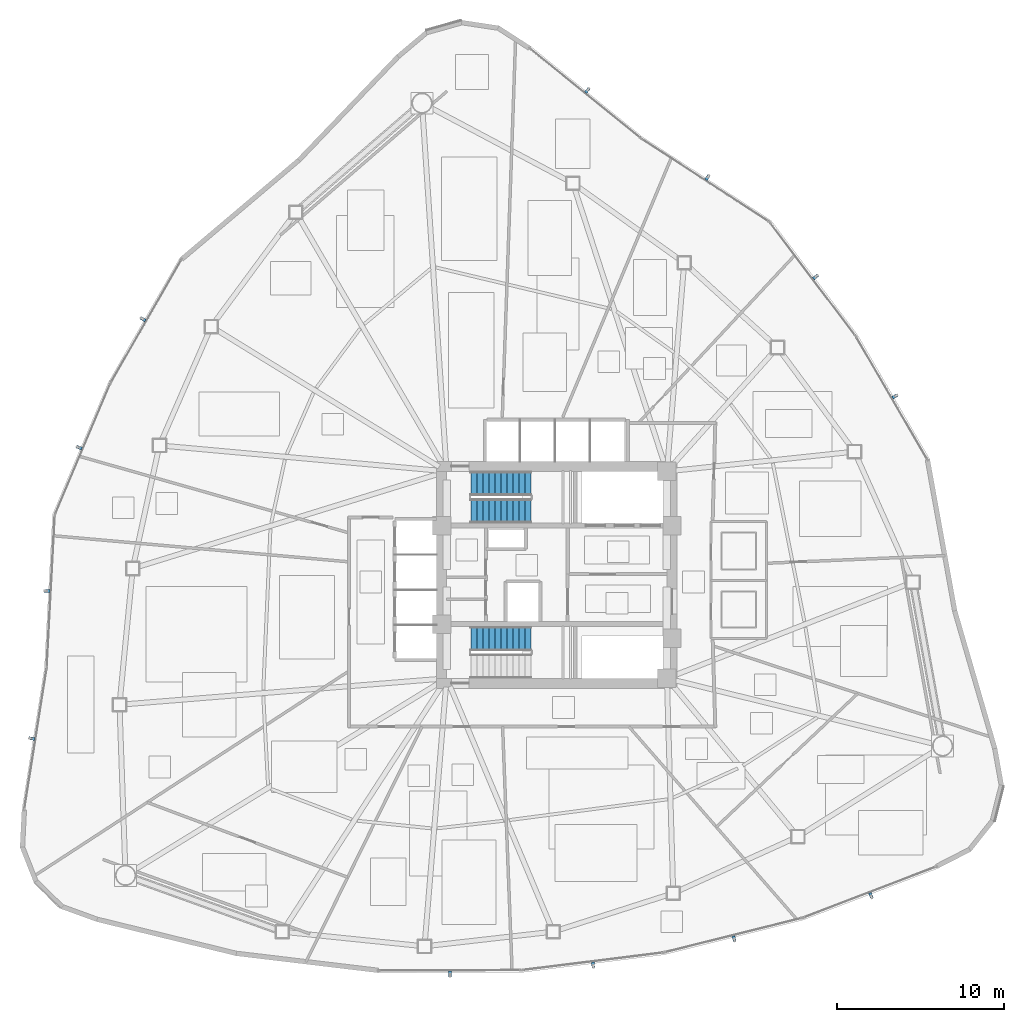
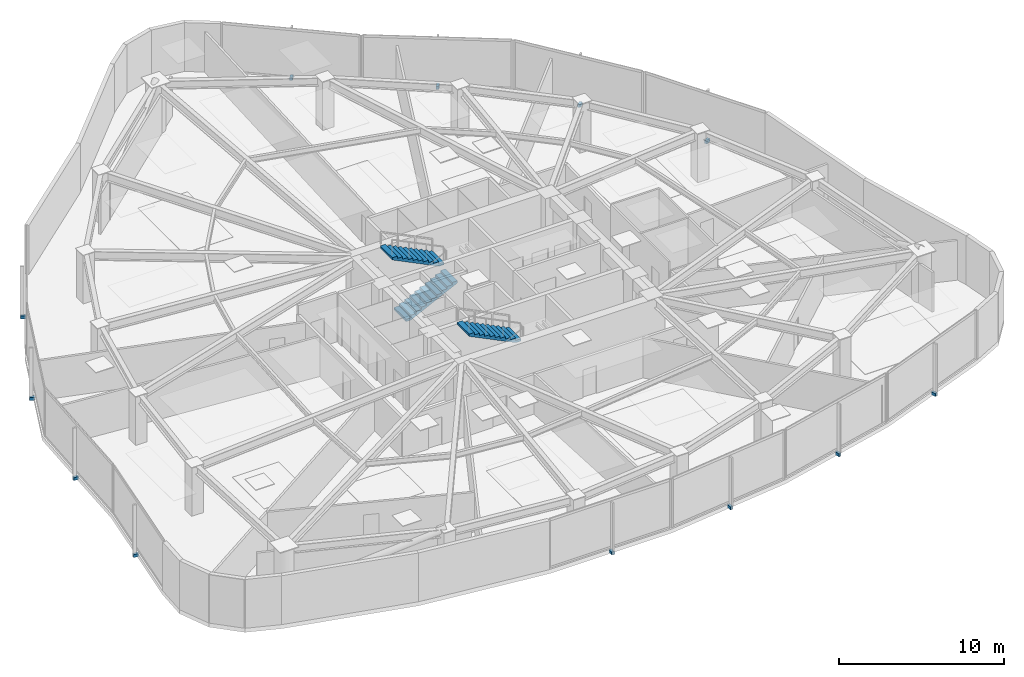
# One storey, part 13 of 17: 12 discrete accessories, 3 stair flights, 2 elements without a shape of their own.
"""IFC4 building model written with IfcOpenShell, lengths in metres."""

from ifc_helpers import new_model, si_unit, direction, frame, origin, origin_2d, place, context, subcontext, project, spatial, polyline, rectangle, outline, extrude, source, transform, mapped, material, type_object, type_shapes, element, aggregate, save


model = new_model("IFC4")

# Units and contexts
model_context = context("Model", 3, precision=1e-05, world=origin(), true_north=direction((0.0, 1.0)))
body_context = subcontext(model_context, "Body", "Model", "MODEL_VIEW")
ifc_project = project(units=[si_unit("LENGTHUNIT", "METRE"), si_unit("AREAUNIT", "SQUARE_METRE"), si_unit("VOLUMEUNIT", "CUBIC_METRE"), si_unit("PLANEANGLEUNIT", "RADIAN"), si_unit("MASSUNIT", "GRAM", prefix="KILO")], contexts=[model_context])

# Site, building, storey
site_placement = place(None, origin())
site = spatial("IfcSite", under=ifc_project, at=site_placement, CompositionType="ELEMENT")
building_placement = place(site_placement, origin())
building = spatial("IfcBuilding", under=site, at=building_placement, Name="Tavelor Broadcast Tower", CompositionType="ELEMENT")
storey_placement = place(building_placement, frame((0.0, 0.0, 39.300048828125)))
storey = spatial("IfcBuildingStorey", under=building, at=storey_placement, Name="L08", CompositionType="ELEMENT", Elevation=39.300048828125)

# Stair, stair flights
ifc_material_1 = material(Name="Concrete C40/50", Category="concrete")
stair_type = type_object("IfcStairType", Name="Reinforced Concrete Protected Dogleg Stair 1450 mm", PredefinedType="HALF_TURN_STAIR", material=ifc_material_1)
stair_1_placement = place(storey_placement, origin())
stair_1 = element("IfcStair", 1, at=stair_1_placement, inside=storey, type_object=stair_type, Name="L08 Protected Core Exit Stair ST1", PredefinedType="HALF_TURN_STAIR")
stair_flight_type = type_object("IfcStairFlightType", Name="Reinforced Concrete Stair Flight 1450 mm", PredefinedType="STRAIGHT", material=ifc_material_1)
stair_flight_1_placement = place(storey_placement, frame((44.85009765625, 48.824951171875, 0.0), z_axis=(0.0, 0.0, 1.0), x_axis=(1.0, 0.0, 0.0)))
stair_flight_1 = element("IfcStairFlight", 2, at=stair_flight_1_placement, type_object=stair_flight_type, Name="ST1 flight 1", NumberOfRisers=11, NumberOfTreads=10, PredefinedType="STRAIGHT", RiserHeight=0.177272727, TreadLength=0.36, context=body_context, shape_type="SweptSolid", body=[
    extrude(outline(polyline([(0.0, 0.0), (0.0, 0.17724609375), (0.360107421875, 0.17724609375), (0.360107421875, 0.3544921875), (0.719970703125, 0.3544921875), (0.719970703125, 0.53173828125), (1.080078125, 0.53173828125), (1.080078125, 0.708984375), (1.43994140625, 0.708984375), (1.43994140625, 0.886474609375), (1.800048828125, 0.886474609375), (1.800048828125, 1.063720703125), (2.159912109375, 1.063720703125), (2.159912109375, 1.240966796875), (2.52001953125, 1.240966796875), (2.52001953125, 1.418212890625), (2.8798828125, 1.418212890625), (2.8798828125, 1.595458984375), (3.239990234375, 1.595458984375), (3.239990234375, 1.772705078125), (3.60009765625, 1.772705078125), (3.60009765625, 1.949951171875), (3.60009765625, 1.605712890625), (0.33935546875, 0.0), (0.0, 0.0)])), frame((0.0, 0.72509765625, 0.0), z_axis=(0.0, -1.0, 0.0), x_axis=(1.0, 0.0, 0.0)), (0.0, 0.0, 1.0), 1.449951171875),
])
stair_flight_2_placement = place(storey_placement, frame((48.449951171875, 50.47509765625, 1.949951171875), z_axis=(0.0, 0.0, 1.0), x_axis=(-1.0, 0.0, 0.0)))
stair_flight_2 = element("IfcStairFlight", 3, at=stair_flight_2_placement, type_object=stair_flight_type, Name="ST1 flight 2", NumberOfRisers=11, NumberOfTreads=10, PredefinedType="STRAIGHT", RiserHeight=0.177272727, TreadLength=0.36, context=body_context, shape_type="SweptSolid", body=[
    extrude(outline(polyline([(0.0, 0.0), (0.0, 0.17724609375), (0.360107421875, 0.17724609375), (0.360107421875, 0.3544921875), (0.719970703125, 0.3544921875), (0.719970703125, 0.53173828125), (1.080078125, 0.53173828125), (1.080078125, 0.708984375), (1.43994140625, 0.708984375), (1.43994140625, 0.886474609375), (1.800048828125, 0.886474609375), (1.800048828125, 1.063720703125), (2.159912109375, 1.063720703125), (2.159912109375, 1.240966796875), (2.52001953125, 1.240966796875), (2.52001953125, 1.418212890625), (2.8798828125, 1.418212890625), (2.8798828125, 1.595458984375), (3.239990234375, 1.595458984375), (3.239990234375, 1.772705078125), (3.60009765625, 1.772705078125), (3.60009765625, 1.949951171875), (3.60009765625, 1.605712890625), (0.33935546875, 0.0), (0.0, 0.0)])), frame((0.0, 0.72509765625, 0.0), z_axis=(0.0, -1.0, 0.0), x_axis=(1.0, 0.0, 0.0)), (0.0, 0.0, 1.0), 1.449951171875),
])
aggregate(stair_1, [stair_flight_1, stair_flight_2])

# Stair, stair flight
stair_2_placement = place(storey_placement, origin())
stair_2 = element("IfcStair", 4, at=stair_2_placement, inside=storey, type_object=stair_type, Name="L08 Protected Core Exit Stair ST2", PredefinedType="HALF_TURN_STAIR")
stair_flight_3_placement = place(storey_placement, frame((48.449951171875, 41.175048828125, 1.949951171875), z_axis=(0.0, 0.0, 1.0), x_axis=(-1.0, 0.0, 0.0)))
stair_flight_3 = element("IfcStairFlight", 5, at=stair_flight_3_placement, type_object=stair_flight_type, Name="ST2 flight 2", NumberOfRisers=11, NumberOfTreads=10, PredefinedType="STRAIGHT", RiserHeight=0.177272727, TreadLength=0.36, context=body_context, shape_type="SweptSolid", body=[
    extrude(outline(polyline([(0.0, 0.0), (0.0, 0.17724609375), (0.360107421875, 0.17724609375), (0.360107421875, 0.3544921875), (0.719970703125, 0.3544921875), (0.719970703125, 0.53173828125), (1.080078125, 0.53173828125), (1.080078125, 0.708984375), (1.43994140625, 0.708984375), (1.43994140625, 0.886474609375), (1.800048828125, 0.886474609375), (1.800048828125, 1.063720703125), (2.159912109375, 1.063720703125), (2.159912109375, 1.240966796875), (2.52001953125, 1.240966796875), (2.52001953125, 1.418212890625), (2.8798828125, 1.418212890625), (2.8798828125, 1.595458984375), (3.239990234375, 1.595458984375), (3.239990234375, 1.772705078125), (3.60009765625, 1.772705078125), (3.60009765625, 1.949951171875), (3.60009765625, 1.605712890625), (0.33935546875, 0.0), (0.0, 0.0)])), frame((0.0, 0.72509765625, 0.0), z_axis=(0.0, -1.0, 0.0), x_axis=(1.0, 0.0, 0.0)), (0.0, 0.0, 1.0), 1.449951171875),
])
aggregate(stair_2, [stair_flight_3])

# Discrete accessories
ifc_material_2 = material(Name="Steel S355", Category="steel")
discrete_accessory_type = type_object("IfcDiscreteAccessoryType", Name="Stainless Baguette Outrigger Support Bracket 260x180", PredefinedType="BRACKET", material=ifc_material_2)
shared_shape = source(origin(), body_context, "Body", "SweptSolid", [
    extrude(rectangle(XDim=0.179931640625, YDim=0.340087890625, at=origin_2d()), origin(), (0.0, 0.0, 1.0), 0.216064453125),
])
type_shapes(discrete_accessory_type, [shared_shape])
for number, where, z_axis, x_axis, name in (
    (6, (25.205322265625, 60.31884765625, -0.25830078125), (0.0, 0.0, 1.0), (-0.498185105339, -0.867070701164, 0.0), "L08 Baguette Outrigger Bracket 49"),
    (7, (21.3837890625, 52.6201171875, -0.25830078125), (0.0, 0.0, 1.0), (-0.389445480794, -0.921049519564, 0.0), "L08 Baguette Outrigger Bracket 50"),
    (8, (19.45947265625, 44.031005859375, -0.25830078125), (0.0, 0.0, 1.0), (-0.052684540515, -0.99861120522, 0.0), "L08 Baguette Outrigger Bracket 51"),
    (9, (18.54248046875, 35.1904296875, -0.25830078125), (0.0, 0.0, 1.0), (-0.156779223773, -0.987633674493, 0.0), "L08 Baguette Outrigger Bracket 52"),
    (10, (43.598876953125, 21.081298828125, -0.25830078125), (0.0, 0.0, 1.0), (0.999997806755, 0.002094393571, 0.0), "L08 Baguette Outrigger Bracket 53"),
    (11, (52.177001953125, 21.62109375, -0.25830078125), (0.0, 0.0, 1.0), (0.992375022483, 0.123255080026, 0.0), "L08 Baguette Outrigger Bracket 54"),
    (12, (60.626708984375, 23.19482421875, -0.25830078125), (0.0, 0.0, 1.0), (0.970168923267, 0.242429908069, 0.0), "L08 Baguette Outrigger Bracket 55"),
    (13, (68.823974609375, 25.779541015625, -0.25830078125), (0.0, 0.0, 1.0), (0.933705463631, 0.358042046673, 0.0), "L08 Baguette Outrigger Bracket 56"),
    (14, (70.263916015625, 55.695556640625, -0.25830078125), (0.0, 0.0, 1.0), (-0.501812701416, 0.864976307593, 0.0), "L08 Baguette Outrigger Bracket 57"),
    (15, (65.50732421875, 62.8544921875, -0.25830078125), (0.0, 0.0, 1.0), (-0.602929541689, 0.797794439539, 0.0), "L08 Baguette Outrigger Bracket 58"),
    (16, (59.031005859375, 68.81591796875, -0.25830078125), (0.0, 0.0, 1.0), (-0.838480401967, 0.544931753083, 0.0), "L08 Baguette Outrigger Bracket 59"),
    (17, (51.83349609375, 74.030029296875, -0.25830078125), (0.0, 0.0, 1.0), (-0.776926239858, 0.62959162782, 0.0), "L08 Baguette Outrigger Bracket 60"),
):
    element("IfcDiscreteAccessory", number, at=place(storey_placement, frame(where, z_axis=z_axis, x_axis=x_axis)), inside=storey, type_object=discrete_accessory_type, Name=name, PredefinedType="BRACKET", context=body_context, shape_type="MappedRepresentation", body=[
        mapped(shared_shape, transform((0.0, 0.0, 0.0), scale=1.0)),
    ])

save(model, "model.ifc")
